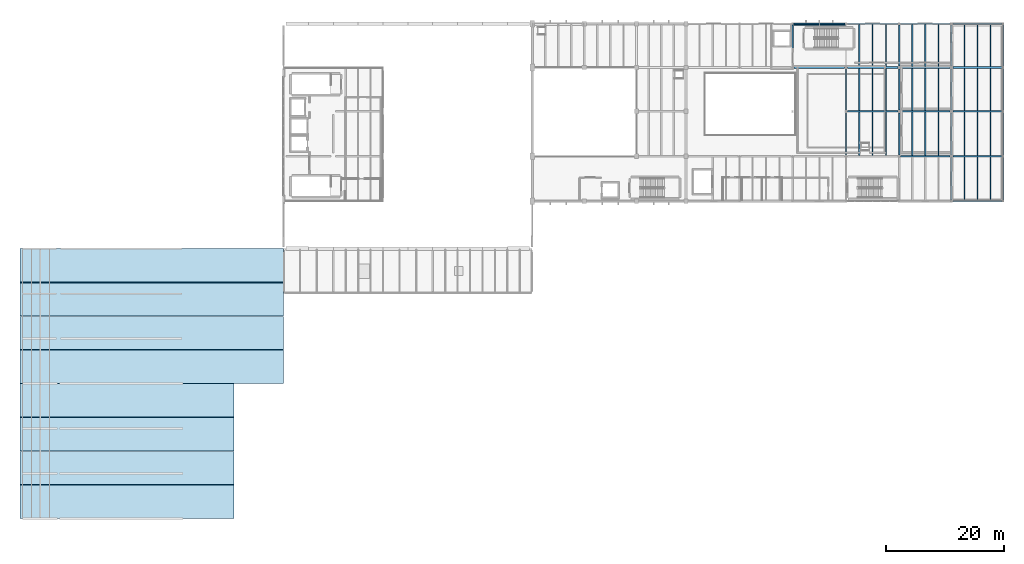
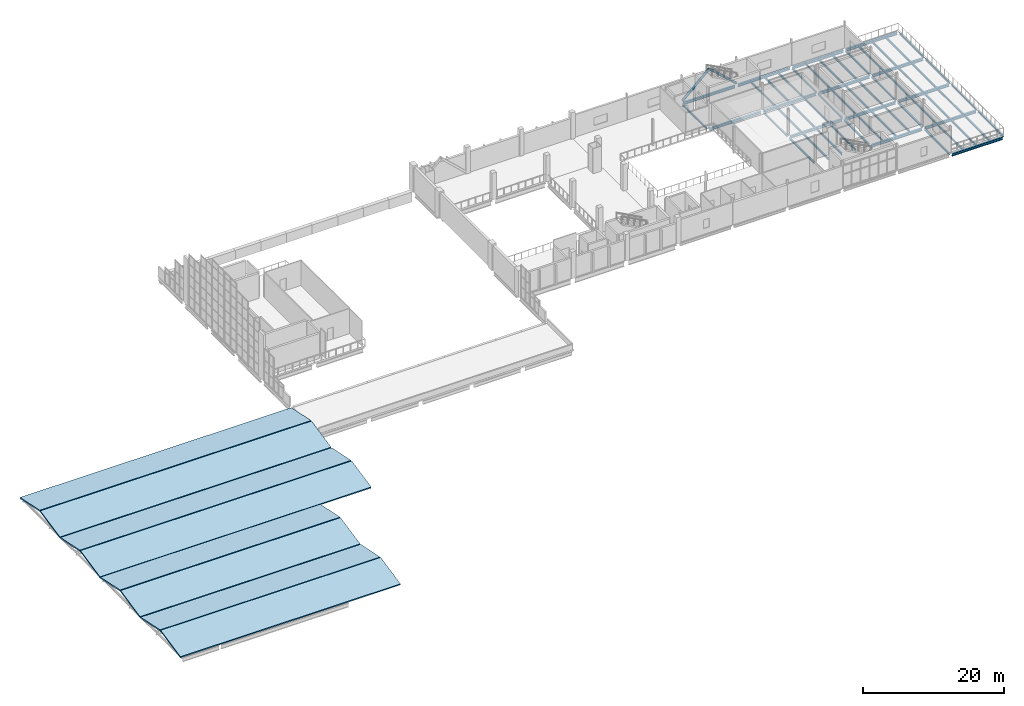
# One storey, part 22 of 37: 58 beams, 8 slabs, 2 members.
"""IFC4 building model written with IfcOpenShell, lengths in metres."""

import ifcopenshell
import ifcopenshell.guid

model = None  # the IFC model being written
_history = None  # IfcOwnerHistory: only IFC2X3 demands one
_inside = {}  # id of a spatial element -> (the spatial element, [elements in it])
_under = {}  # id of a project, library or spatial element -> (it, [spatial elements below it])
_declared = {}  # id of a project -> (the project, [libraries it declares])
_typed = {}  # id of a type object -> (the type object, [elements of that type])
_made_of = {}  # id of a material, layer set ... -> (it, [elements and type objects made of it])


def new_model(schema):
    """Start an empty IFC model of exactly this schema.

    Asked for "IFC4X3", IfcOpenShell would pick the latest addendum, in which some entities
    have other attributes; the version numbers below select the first issue.
    IFC2X3 requires an IfcOwnerHistory on every rooted entity: one is made here for all.
    """
    global model, _history
    if schema == "IFC4X3":
        model = ifcopenshell.file(schema_version=(4, 3, 0, 0))
    else:
        model = ifcopenshell.file(schema=schema)
    _inside.clear()
    _under.clear()
    _declared.clear()
    _typed.clear()
    _made_of.clear()
    _history = None
    if model.schema == "IFC2X3":
        org = make("IfcOrganization", Name="unknown")
        user = make(
            "IfcPersonAndOrganization",
            ThePerson=make("IfcPerson", FamilyName="unknown"),
            TheOrganization=org,
        )
        app = make(
            "IfcApplication",
            ApplicationDeveloper=org,
            Version="unknown",
            ApplicationFullName="unknown",
            ApplicationIdentifier="unknown",
        )
        _history = make(
            "IfcOwnerHistory",
            OwningUser=user,
            OwningApplication=app,
            ChangeAction="ADDED",
            CreationDate=0,
        )
    return model


def make(cls, **values):
    """One entity of the class cls with the attributes given. An attribute that is None is left unset."""
    return model.create_entity(
        cls, **{name: value for name, value in values.items() if value is not None}
    )


def rooted(cls, **values):
    """An entity with a GlobalId (a new one), such as an element, a storey or a relation."""
    return make(cls, GlobalId=ifcopenshell.guid.new(), OwnerHistory=_history, **values)


def si_unit(unit_type, name, prefix=None):
    """IfcSIUnit, for example si_unit("LENGTHUNIT", "METRE", prefix="MILLI")."""
    return make("IfcSIUnit", UnitType=unit_type, Prefix=prefix, Name=name)


def assignment(units):
    """IfcUnitAssignment: the units of a project."""
    return None if units is None else make("IfcUnitAssignment", Units=units)


def point(xyz):
    """IfcCartesianPoint."""
    return None if xyz is None else make("IfcCartesianPoint", Coordinates=xyz)


def direction(xyz):
    """IfcDirection."""
    return None if xyz is None else make("IfcDirection", DirectionRatios=xyz)


def frame(location, z_axis=None, x_axis=None):
    """IfcAxis2Placement3D, a coordinate frame: its origin and axes. An axis left out is left unset."""
    return make(
        "IfcAxis2Placement3D",
        Location=point(location),
        Axis=direction(z_axis),
        RefDirection=direction(x_axis),
    )


def frame_2d(location, x_axis=None):
    """IfcAxis2Placement2D, a coordinate frame in the plane: its origin and x axis."""
    return make(
        "IfcAxis2Placement2D", Location=point(location), RefDirection=direction(x_axis)
    )


def origin():
    """The frame at (0, 0, 0) with its axes left unset."""
    return frame((0.0, 0.0, 0.0))


def origin_2d():
    """The frame at (0, 0) in the plane with its x axis left unset."""
    return frame_2d((0.0, 0.0))


def place(relative_to, where):
    """IfcLocalPlacement: puts the frame where relative to a parent placement (None: the world)."""
    return make(
        "IfcLocalPlacement", PlacementRelTo=relative_to, RelativePlacement=where
    )


def context(
    kind, dimensions, precision=None, world=None, true_north=None, identifier=None
):
    """IfcGeometricRepresentationContext, for example the 3D "Model" context."""
    return make(
        "IfcGeometricRepresentationContext",
        ContextIdentifier=identifier,
        ContextType=kind,
        CoordinateSpaceDimension=dimensions,
        Precision=precision,
        WorldCoordinateSystem=world,
        TrueNorth=true_north,
    )


def subcontext(parent, identifier, kind, view, scale=None):
    """IfcGeometricRepresentationSubContext, for example "Body" below "Model"."""
    return make(
        "IfcGeometricRepresentationSubContext",
        ContextIdentifier=identifier,
        ContextType=kind,
        ParentContext=parent,
        TargetScale=scale,
        TargetView=view,
    )


def project(units=None, contexts=None):
    """IfcProject with its units and contexts."""
    return rooted(
        "IfcProject",
        Name="project",
        RepresentationContexts=contexts,
        UnitsInContext=assignment(units),
    )


def spatial(cls, under=None, at=None, **own):
    """A site, building, storey or space (cls), placed at a placement, below another one or the project."""
    s = rooted(cls, ObjectPlacement=at, **own)
    if under is not None:
        _under.setdefault(under.id(), (under, []))[1].append(s)
    return s


def polyline(points):
    """IfcPolyline through the points."""
    return make("IfcPolyline", Points=[point(p) for p in points])


def profile(cls, at=None, kind="AREA", **sizes):
    """A parametric profile (cls). Its sizes go by their IFC names, for example OverallWidth=200.0."""
    return make(cls, ProfileType=kind, Position=at, **sizes)


def hollow_circle(**sizes):
    """IfcCircleHollowProfileDef."""
    return profile("IfcCircleHollowProfileDef", **sizes)


def i_section(**sizes):
    """IfcIShapeProfileDef."""
    return profile("IfcIShapeProfileDef", **sizes)


def outline(outer, holes=None, kind="AREA"):
    """IfcArbitraryClosedProfileDef: a profile drawn as a closed curve; with holes, ...WithVoids."""
    if holes is None:
        return make("IfcArbitraryClosedProfileDef", ProfileType=kind, OuterCurve=outer)
    return make(
        "IfcArbitraryProfileDefWithVoids",
        ProfileType=kind,
        OuterCurve=outer,
        InnerCurves=holes,
    )


def extrude(swept, where, along, depth):
    """IfcExtrudedAreaSolid: the profile swept, set in the frame where, extruded along a direction by depth."""
    return make(
        "IfcExtrudedAreaSolid",
        SweptArea=swept,
        Position=where,
        ExtrudedDirection=direction(along),
        Depth=depth,
    )


def shape(context_of_items, identifier, shape_type, items):
    """IfcShapeRepresentation: the items that make up one representation, for example the "Body"."""
    return make(
        "IfcShapeRepresentation",
        ContextOfItems=context_of_items,
        RepresentationIdentifier=identifier,
        RepresentationType=shape_type,
        Items=items,
    )


def material(Name=None, Category=None):
    """IfcMaterial."""
    return make("IfcMaterial", Name=Name, Category=Category)


def layer(
    of_material, thickness, ventilated=None, Name=None, Category=None, Priority=None
):
    """IfcMaterialLayer: one layer of a wall or slab, of a material (None: an air gap)."""
    return make(
        "IfcMaterialLayer",
        Material=of_material,
        LayerThickness=thickness,
        IsVentilated=ventilated,
        Name=Name,
        Category=Category,
        Priority=Priority,
    )


def layer_set(layers, Name=None):
    """IfcMaterialLayerSet."""
    return make("IfcMaterialLayerSet", MaterialLayers=layers, LayerSetName=Name)


def material_profile(
    of_material, cross_section, Name=None, Category=None, Priority=None
):
    """IfcMaterialProfile: a cross section and its material."""
    return make(
        "IfcMaterialProfile",
        Name=Name,
        Material=of_material,
        Profile=cross_section,
        Priority=Priority,
        Category=Category,
    )


def profile_set(profiles, Name=None, composite=None):
    """IfcMaterialProfileSet."""
    return make(
        "IfcMaterialProfileSet",
        Name=Name,
        MaterialProfiles=profiles,
        CompositeProfile=composite,
    )


def made_of(thing, what):
    """Note that an element or type object is made of a material, layer set ...; save() writes the relation."""
    if what is not None:
        _made_of.setdefault(what.id(), (what, []))[1].append(thing)
    return thing


def type_object(cls, material=None, **own):
    """A type object (cls), such as IfcWallType, which elements share."""
    return made_of(rooted(cls, **own), material)


def element(
    cls,
    number,
    at=None,
    inside=None,
    cuts=None,
    type_object=None,
    material=None,
    context=None,
    identifier="Body",
    shape_type=None,
    held_by="IfcProductDefinitionShape",
    body=None,
    shapes=None,
    **own,
):
    """One element of the class cls, such as IfcWall. Its Tag is "e" and its number.

    at: its placement. inside: the storey or other place that contains it. cuts: it is an
    opening in that element (IfcRelVoidsElement). A single representation is given by context,
    identifier, shape_type and body (its items); several are given by shapes. held_by: the class
    of the entity that holds the representations. save() writes the other relations.
    """
    e = rooted(cls, Tag="e%d" % number, ObjectPlacement=at, **own)
    if body is not None:
        shapes = [shape(context, identifier, shape_type, body)]
    if shapes is not None:
        e.Representation = make(held_by, Representations=shapes)
    if inside is not None:
        _inside.setdefault(inside.id(), (inside, []))[1].append(e)
    if cuts is not None:
        rooted(
            "IfcRelVoidsElement", RelatingBuildingElement=cuts, RelatedOpeningElement=e
        )
    if type_object is not None:
        _typed.setdefault(type_object.id(), (type_object, []))[1].append(e)
    return made_of(e, material)


def aggregate(whole, parts):
    """IfcRelAggregates: a whole, such as a stair, and the parts it consists of."""
    return rooted("IfcRelAggregates", RelatingObject=whole, RelatedObjects=parts)


def save(model, path):
    """Write the relations noted so far, then the file.

    IfcRelAggregates (storeys below a building ...), IfcRelContainedInSpatialStructure (elements
    in a storey), IfcRelDefinesByType, IfcRelAssociatesMaterial and IfcRelDeclares: one each for
    every whole, place, type object, material and project.
    """
    for whole, parts in _under.values():
        aggregate(whole, parts)
    for where, things in _inside.values():
        rooted(
            "IfcRelContainedInSpatialStructure",
            RelatedElements=things,
            RelatingStructure=where,
        )
    for kind, things in _typed.values():
        rooted("IfcRelDefinesByType", RelatedObjects=things, RelatingType=kind)
    for what, things in _made_of.values():
        rooted("IfcRelAssociatesMaterial", RelatedObjects=things, RelatingMaterial=what)
    for by, libraries in _declared.values():
        rooted("IfcRelDeclares", RelatingContext=by, RelatedDefinitions=libraries)
    model.write(path)


model = new_model("IFC4")

# Units and contexts
model_context = context("Model", 3, precision=1e-05, world=origin(), true_north=direction((0.0, 1.0)))
body_context = subcontext(model_context, "Body", "Model", "MODEL_VIEW")
ifc_project = project(units=[si_unit("LENGTHUNIT", "METRE"), si_unit("AREAUNIT", "SQUARE_METRE"), si_unit("VOLUMEUNIT", "CUBIC_METRE"), si_unit("PLANEANGLEUNIT", "RADIAN"), si_unit("MASSUNIT", "GRAM", prefix="KILO")], contexts=[model_context])

# Site, building, storey
site_placement = place(None, origin())
site = spatial("IfcSite", under=ifc_project, at=site_placement, CompositionType="ELEMENT")
building_placement = place(site_placement, origin())
building = spatial("IfcBuilding", under=site, at=building_placement, Name="Shengluoqiao Park Theatre", CompositionType="ELEMENT")
storey_placement = place(building_placement, frame((0.0, 0.0, 19.199951171875)))
storey = spatial("IfcBuildingStorey", under=building, at=storey_placement, Name="L04", CompositionType="ELEMENT", Elevation=19.199951171875)

# Beams
ifc_material_1 = material(Name="Steel Q355", Category="steel")
ifc_material_profile_1 = material_profile(ifc_material_1, i_section(OverallWidth=0.199951171875, OverallDepth=0.2939453125, WebThickness=0.008056640625, FlangeThickness=0.011962890625, FilletRadius=0.01611328125, at=origin_2d()), Name="HM 294x200x8x12")
ifc_profile_set_1 = profile_set([ifc_material_profile_1], Name="Steel Q355")
beam_type_1 = type_object("IfcBeamType", Name="STR-BM-G-HM294", PredefinedType="BEAM", material=ifc_profile_set_1)
beam_1_placement = place(storey_placement, frame((130.39990234375, 106.843994140625, -0.386962890625), z_axis=(0.0, 1.0, 0.0), x_axis=(-1.0, 0.0, 0.0)))
element("IfcBeam", 1, at=beam_1_placement, inside=storey, type_object=beam_type_1, Name="L04 Transverse Girder 01564", PredefinedType="BEAM", context=body_context, shape_type="SweptSolid", body=[
    extrude(i_section(OverallWidth=0.199951171875, OverallDepth=0.2939453125, WebThickness=0.008056640625, FlangeThickness=0.011962890625, FilletRadius=0.01611328125, at=origin_2d()), origin(), (0.0, 0.0, 1.0), 6.912109375),
])
beam_2_placement = place(storey_placement, frame((139.39990234375, 91.843994140625, -0.386962890625), z_axis=(0.0, 1.0, 0.0), x_axis=(-1.0, 0.0, 0.0)))
element("IfcBeam", 2, at=beam_2_placement, inside=storey, type_object=beam_type_1, Name="L04 Transverse Girder 01566", PredefinedType="BEAM", context=body_context, shape_type="SweptSolid", body=[
    extrude(i_section(OverallWidth=0.199951171875, OverallDepth=0.2939453125, WebThickness=0.008056640625, FlangeThickness=0.011962890625, FilletRadius=0.01611328125, at=origin_2d()), origin(), (0.0, 0.0, 1.0), 7.112060546875),
])
beam_3_placement = place(storey_placement, frame((139.39990234375, 99.444091796875, -0.386962890625), z_axis=(0.0, 1.0, 0.0), x_axis=(-1.0, 0.0, 0.0)))
element("IfcBeam", 3, at=beam_3_placement, inside=storey, type_object=beam_type_1, Name="L04 Transverse Girder 01567", PredefinedType="BEAM", context=body_context, shape_type="SweptSolid", body=[
    extrude(i_section(OverallWidth=0.199951171875, OverallDepth=0.2939453125, WebThickness=0.008056640625, FlangeThickness=0.011962890625, FilletRadius=0.01611328125, at=origin_2d()), origin(), (0.0, 0.0, 1.0), 6.911865234375),
])
beam_4_placement = place(storey_placement, frame((148.39990234375, 91.843994140625, -0.386962890625), z_axis=(0.0, 1.0, 0.0), x_axis=(-1.0, 0.0, 0.0)))
element("IfcBeam", 4, at=beam_4_placement, inside=storey, type_object=beam_type_1, Name="L04 Transverse Girder 01592", PredefinedType="BEAM", context=body_context, shape_type="SweptSolid", body=[
    extrude(i_section(OverallWidth=0.199951171875, OverallDepth=0.2939453125, WebThickness=0.008056640625, FlangeThickness=0.011962890625, FilletRadius=0.01611328125, at=origin_2d()), origin(), (0.0, 0.0, 1.0), 7.112060546875),
])
beam_5_placement = place(storey_placement, frame((148.39990234375, 99.444091796875, -0.386962890625), z_axis=(0.0, 1.0, 0.0), x_axis=(-1.0, 0.0, 0.0)))
element("IfcBeam", 5, at=beam_5_placement, inside=storey, type_object=beam_type_1, Name="L04 Transverse Girder 01593", PredefinedType="BEAM", context=body_context, shape_type="SweptSolid", body=[
    extrude(i_section(OverallWidth=0.199951171875, OverallDepth=0.2939453125, WebThickness=0.008056640625, FlangeThickness=0.011962890625, FilletRadius=0.01611328125, at=origin_2d()), origin(), (0.0, 0.0, 1.0), 6.911865234375),
])
beam_6_placement = place(storey_placement, frame((148.39990234375, 106.843994140625, -0.386962890625), z_axis=(0.0, 1.0, 0.0), x_axis=(-1.0, 0.0, 0.0)))
element("IfcBeam", 6, at=beam_6_placement, inside=storey, type_object=beam_type_1, Name="L04 Transverse Girder 01594", PredefinedType="BEAM", context=body_context, shape_type="SweptSolid", body=[
    extrude(i_section(OverallWidth=0.199951171875, OverallDepth=0.2939453125, WebThickness=0.008056640625, FlangeThickness=0.011962890625, FilletRadius=0.01611328125, at=origin_2d()), origin(), (0.0, 0.0, 1.0), 6.912109375),
])
for number, where, z_axis, x_axis, name in (
    (7, (157.199951171875, 84.243896484375, -0.467041015625), (0.0, 1.0, 0.0), (-1.0, 0.0, 0.0), "L04 Transverse Girder 01595"),
    (8, (157.199951171875, 91.843994140625, -0.467041015625), (0.0, 1.0, 0.0), (-1.0, 0.0, 0.0), "L04 Transverse Girder 01596"),
):
    element("IfcBeam", number, at=place(storey_placement, frame(where, z_axis=z_axis, x_axis=x_axis)), inside=storey, type_object=beam_type_1, Name=name, PredefinedType="BEAM", context=body_context, shape_type="SweptSolid", body=[
        extrude(i_section(OverallWidth=0.199951171875, OverallDepth=0.2939453125, WebThickness=0.008056640625, FlangeThickness=0.011962890625, FilletRadius=0.01611328125, at=origin_2d()), origin(), (0.0, 0.0, 1.0), 7.112060546875),
    ])
beam_7_placement = place(storey_placement, frame((157.199951171875, 99.444091796875, -0.467041015625), z_axis=(0.0, 1.0, 0.0), x_axis=(-1.0, 0.0, 0.0)))
element("IfcBeam", 9, at=beam_7_placement, inside=storey, type_object=beam_type_1, Name="L04 Transverse Girder 01597", PredefinedType="BEAM", context=body_context, shape_type="SweptSolid", body=[
    extrude(i_section(OverallWidth=0.199951171875, OverallDepth=0.2939453125, WebThickness=0.008056640625, FlangeThickness=0.011962890625, FilletRadius=0.01611328125, at=origin_2d()), origin(), (0.0, 0.0, 1.0), 6.911865234375),
])
beam_8_placement = place(storey_placement, frame((157.199951171875, 106.843994140625, -0.467041015625), z_axis=(0.0, 1.0, 0.0), x_axis=(-1.0, 0.0, 0.0)))
element("IfcBeam", 10, at=beam_8_placement, inside=storey, type_object=beam_type_1, Name="L04 Transverse Girder 01598", PredefinedType="BEAM", context=body_context, shape_type="SweptSolid", body=[
    extrude(i_section(OverallWidth=0.199951171875, OverallDepth=0.2939453125, WebThickness=0.008056640625, FlangeThickness=0.011962890625, FilletRadius=0.01611328125, at=origin_2d()), origin(), (0.0, 0.0, 1.0), 6.912109375),
])
for number, where, z_axis, x_axis, name in (
    (11, (166.0, 84.243896484375, -0.467041015625), (0.0, 1.0, 0.0), (-1.0, 0.0, 0.0), "L04 Transverse Girder 02005"),
    (12, (166.0, 91.843994140625, -0.467041015625), (0.0, 1.0, 0.0), (-1.0, 0.0, 0.0), "L04 Transverse Girder 02006"),
):
    element("IfcBeam", number, at=place(storey_placement, frame(where, z_axis=z_axis, x_axis=x_axis)), inside=storey, type_object=beam_type_1, Name=name, PredefinedType="BEAM", context=body_context, shape_type="SweptSolid", body=[
        extrude(i_section(OverallWidth=0.199951171875, OverallDepth=0.2939453125, WebThickness=0.008056640625, FlangeThickness=0.011962890625, FilletRadius=0.01611328125, at=origin_2d()), origin(), (0.0, 0.0, 1.0), 7.112060546875),
    ])
beam_9_placement = place(storey_placement, frame((166.0, 99.444091796875, -0.467041015625), z_axis=(0.0, 1.0, 0.0), x_axis=(-1.0, 0.0, 0.0)))
element("IfcBeam", 13, at=beam_9_placement, inside=storey, type_object=beam_type_1, Name="L04 Transverse Girder 02007", PredefinedType="BEAM", context=body_context, shape_type="SweptSolid", body=[
    extrude(i_section(OverallWidth=0.199951171875, OverallDepth=0.2939453125, WebThickness=0.008056640625, FlangeThickness=0.011962890625, FilletRadius=0.01611328125, at=origin_2d()), origin(), (0.0, 0.0, 1.0), 6.911865234375),
])
beam_10_placement = place(storey_placement, frame((166.0, 106.843994140625, -0.467041015625), z_axis=(0.0, 1.0, 0.0), x_axis=(-1.0, 0.0, 0.0)))
element("IfcBeam", 14, at=beam_10_placement, inside=storey, type_object=beam_type_1, Name="L04 Transverse Girder 02008", PredefinedType="BEAM", context=body_context, shape_type="SweptSolid", body=[
    extrude(i_section(OverallWidth=0.199951171875, OverallDepth=0.2939453125, WebThickness=0.008056640625, FlangeThickness=0.011962890625, FilletRadius=0.01611328125, at=origin_2d()), origin(), (0.0, 0.0, 1.0), 6.912109375),
])
ifc_material_profile_2 = material_profile(ifc_material_1, i_section(OverallWidth=0.300048828125, OverallDepth=0.43994140625, WebThickness=0.010986328125, FlangeThickness=0.01806640625, FilletRadius=0.02001953125, at=origin_2d()), Name="HM 440x300x11x18")
ifc_profile_set_2 = profile_set([ifc_material_profile_2], Name="Steel Q355")
beam_type_2 = type_object("IfcBeamType", Name="STR-BM-G-HM440", PredefinedType="BEAM", material=ifc_profile_set_2)
for number, where, z_axis, x_axis, name in (
    (15, (130.64404296875, 106.60009765625, -0.4599609375), (1.0, 0.0, 0.0), (0.0, 1.0, 0.0), "L04 Primary Girder 01557"),
    (16, (130.64404296875, 114.0, -0.4599609375), (1.0, 0.0, 0.0), (0.0, 1.0, 0.0), "L04 Primary Girder 01560"),
):
    element("IfcBeam", number, at=place(storey_placement, frame(where, z_axis=z_axis, x_axis=x_axis)), inside=storey, type_object=beam_type_2, Name=name, PredefinedType="BEAM", context=body_context, shape_type="SweptSolid", body=[
        extrude(i_section(OverallWidth=0.300048828125, OverallDepth=0.43994140625, WebThickness=0.010986328125, FlangeThickness=0.01806640625, FilletRadius=0.02001953125, at=origin_2d()), origin(), (0.0, 0.0, 1.0), 8.511962890625),
    ])
beam_11_placement = place(storey_placement, frame((148.64404296875, 91.60009765625, -0.5400390625), z_axis=(1.0, 0.0, 0.0), x_axis=(0.0, 1.0, 0.0)))
element("IfcBeam", 17, at=beam_11_placement, inside=storey, type_object=beam_type_2, Name="L04 Primary Girder 01584", PredefinedType="BEAM", context=body_context, shape_type="SweptSolid", body=[
    extrude(i_section(OverallWidth=0.300048828125, OverallDepth=0.43994140625, WebThickness=0.010986328125, FlangeThickness=0.01806640625, FilletRadius=0.02001953125, at=origin_2d()), origin(), (0.0, 0.0, 1.0), 8.31201171875),
])
beam_12_placement = place(storey_placement, frame((139.64404296875, 99.199951171875, -0.4599609375), z_axis=(1.0, 0.0, 0.0), x_axis=(0.0, 1.0, 0.0)))
element("IfcBeam", 18, at=beam_12_placement, inside=storey, type_object=beam_type_2, Name="L04 Primary Girder 01585", PredefinedType="BEAM", context=body_context, shape_type="SweptSolid", body=[
    extrude(i_section(OverallWidth=0.300048828125, OverallDepth=0.43994140625, WebThickness=0.010986328125, FlangeThickness=0.01806640625, FilletRadius=0.02001953125, at=origin_2d()), origin(), (0.0, 0.0, 1.0), 8.511962890625),
])
beam_13_placement = place(storey_placement, frame((148.64404296875, 99.199951171875, -0.5400390625), z_axis=(1.0, 0.0, 0.0), x_axis=(0.0, 1.0, 0.0)))
element("IfcBeam", 19, at=beam_13_placement, inside=storey, type_object=beam_type_2, Name="L04 Primary Girder 01586", PredefinedType="BEAM", context=body_context, shape_type="SweptSolid", body=[
    extrude(i_section(OverallWidth=0.300048828125, OverallDepth=0.43994140625, WebThickness=0.010986328125, FlangeThickness=0.01806640625, FilletRadius=0.02001953125, at=origin_2d()), origin(), (0.0, 0.0, 1.0), 8.31201171875),
])
beam_14_placement = place(storey_placement, frame((139.64404296875, 106.60009765625, -0.4599609375), z_axis=(1.0, 0.0, 0.0), x_axis=(0.0, 1.0, 0.0)))
element("IfcBeam", 20, at=beam_14_placement, inside=storey, type_object=beam_type_2, Name="L04 Primary Girder 01587", PredefinedType="BEAM", context=body_context, shape_type="SweptSolid", body=[
    extrude(i_section(OverallWidth=0.300048828125, OverallDepth=0.43994140625, WebThickness=0.010986328125, FlangeThickness=0.01806640625, FilletRadius=0.02001953125, at=origin_2d()), origin(), (0.0, 0.0, 1.0), 8.511962890625),
])
beam_15_placement = place(storey_placement, frame((148.64404296875, 106.60009765625, -0.5400390625), z_axis=(1.0, 0.0, 0.0), x_axis=(0.0, 1.0, 0.0)))
element("IfcBeam", 21, at=beam_15_placement, inside=storey, type_object=beam_type_2, Name="L04 Primary Girder 01588", PredefinedType="BEAM", context=body_context, shape_type="SweptSolid", body=[
    extrude(i_section(OverallWidth=0.300048828125, OverallDepth=0.43994140625, WebThickness=0.010986328125, FlangeThickness=0.01806640625, FilletRadius=0.02001953125, at=origin_2d()), origin(), (0.0, 0.0, 1.0), 8.31201171875),
])
beam_16_placement = place(storey_placement, frame((139.64404296875, 114.0, -0.4599609375), z_axis=(1.0, 0.0, 0.0), x_axis=(0.0, 1.0, 0.0)))
element("IfcBeam", 22, at=beam_16_placement, inside=storey, type_object=beam_type_2, Name="L04 Primary Girder 01589", PredefinedType="BEAM", context=body_context, shape_type="SweptSolid", body=[
    extrude(i_section(OverallWidth=0.300048828125, OverallDepth=0.43994140625, WebThickness=0.010986328125, FlangeThickness=0.01806640625, FilletRadius=0.02001953125, at=origin_2d()), origin(), (0.0, 0.0, 1.0), 8.511962890625),
])
for number, where, z_axis, x_axis, name in (
    (23, (148.64404296875, 114.0, -0.5400390625), (1.0, 0.0, 0.0), (0.0, 1.0, 0.0), "L04 Primary Girder 01590"),
    (24, (157.444091796875, 84.0, -0.5400390625), (1.0, 0.0, 0.0), (0.0, 1.0, 0.0), "L04 Primary Girder 02000"),
    (25, (157.444091796875, 91.60009765625, -0.5400390625), (1.0, 0.0, 0.0), (0.0, 1.0, 0.0), "L04 Primary Girder 02001"),
    (26, (157.444091796875, 99.199951171875, -0.5400390625), (1.0, 0.0, 0.0), (0.0, 1.0, 0.0), "L04 Primary Girder 02002"),
    (27, (157.444091796875, 106.60009765625, -0.5400390625), (1.0, 0.0, 0.0), (0.0, 1.0, 0.0), "L04 Primary Girder 02003"),
    (28, (157.444091796875, 114.0, -0.5400390625), (1.0, 0.0, 0.0), (0.0, 1.0, 0.0), "L04 Primary Girder 02004"),
):
    element("IfcBeam", number, at=place(storey_placement, frame(where, z_axis=z_axis, x_axis=x_axis)), inside=storey, type_object=beam_type_2, Name=name, PredefinedType="BEAM", context=body_context, shape_type="SweptSolid", body=[
        extrude(i_section(OverallWidth=0.300048828125, OverallDepth=0.43994140625, WebThickness=0.010986328125, FlangeThickness=0.01806640625, FilletRadius=0.02001953125, at=origin_2d()), origin(), (0.0, 0.0, 1.0), 8.31201171875),
    ])
ifc_material_profile_3 = material_profile(ifc_material_1, i_section(OverallWidth=0.175048828125, OverallDepth=0.35009765625, WebThickness=0.007080078125, FlangeThickness=0.010986328125, FilletRadius=0.013916015625, at=origin_2d()), Name="HN 350x175x7x11")
ifc_profile_set_3 = profile_set([ifc_material_profile_3], Name="Steel Q355")
beam_type_3 = type_object("IfcBeamType", Name="STR-BM-J-HN350", PredefinedType="JOIST", material=ifc_profile_set_3)
for number, where, z_axis, x_axis, name in (
    (29, (141.64990234375, 91.7451171875, -0.4150390625), (0.0, 1.0, 0.0), (-1.0, 0.0, 0.0), "L04 Composite Joist 01599"),
    (30, (143.89990234375, 91.7451171875, -0.4150390625), (0.0, 1.0, 0.0), (-1.0, 0.0, 0.0), "L04 Composite Joist 01600"),
    (31, (146.14990234375, 91.7451171875, -0.4150390625), (0.0, 1.0, 0.0), (-1.0, 0.0, 0.0), "L04 Composite Joist 01601"),
):
    element("IfcBeam", number, at=place(storey_placement, frame(where, z_axis=z_axis, x_axis=x_axis)), inside=storey, type_object=beam_type_3, Name=name, PredefinedType="JOIST", context=body_context, shape_type="SweptSolid", body=[
        extrude(i_section(OverallWidth=0.175048828125, OverallDepth=0.35009765625, WebThickness=0.007080078125, FlangeThickness=0.010986328125, FilletRadius=0.013916015625, at=origin_2d()), origin(), (0.0, 0.0, 1.0), 7.309814453125),
    ])
for number, where, z_axis, x_axis, name in (
    (32, (141.64990234375, 99.344970703125, -0.4150390625), (0.0, 1.0, 0.0), (-1.0, 0.0, 0.0), "L04 Composite Joist 01602"),
    (33, (143.89990234375, 99.344970703125, -0.4150390625), (0.0, 1.0, 0.0), (-1.0, 0.0, 0.0), "L04 Composite Joist 01603"),
    (34, (146.14990234375, 99.344970703125, -0.4150390625), (0.0, 1.0, 0.0), (-1.0, 0.0, 0.0), "L04 Composite Joist 01604"),
):
    element("IfcBeam", number, at=place(storey_placement, frame(where, z_axis=z_axis, x_axis=x_axis)), inside=storey, type_object=beam_type_3, Name=name, PredefinedType="JOIST", context=body_context, shape_type="SweptSolid", body=[
        extrude(i_section(OverallWidth=0.175048828125, OverallDepth=0.35009765625, WebThickness=0.007080078125, FlangeThickness=0.010986328125, FilletRadius=0.013916015625, at=origin_2d()), origin(), (0.0, 0.0, 1.0), 7.110107421875),
    ])
for number, where, z_axis, x_axis, name in (
    (35, (141.64990234375, 106.7451171875, -0.4150390625), (0.0, 1.0, 0.0), (-1.0, 0.0, 0.0), "L04 Composite Joist 01605"),
    (36, (143.89990234375, 106.7451171875, -0.4150390625), (0.0, 1.0, 0.0), (-1.0, 0.0, 0.0), "L04 Composite Joist 01606"),
    (37, (146.14990234375, 106.7451171875, -0.4150390625), (0.0, 1.0, 0.0), (-1.0, 0.0, 0.0), "L04 Composite Joist 01607"),
):
    element("IfcBeam", number, at=place(storey_placement, frame(where, z_axis=z_axis, x_axis=x_axis)), inside=storey, type_object=beam_type_3, Name=name, PredefinedType="JOIST", context=body_context, shape_type="SweptSolid", body=[
        extrude(i_section(OverallWidth=0.175048828125, OverallDepth=0.35009765625, WebThickness=0.007080078125, FlangeThickness=0.010986328125, FilletRadius=0.013916015625, at=origin_2d()), origin(), (0.0, 0.0, 1.0), 7.10986328125),
    ])
for number, where, z_axis, x_axis, name in (
    (38, (150.60009765625, 91.7451171875, -0.4150390625), (0.0, 1.0, 0.0), (-1.0, 0.0, 0.0), "L04 Composite Joist 01611"),
    (39, (152.800048828125, 91.7451171875, -0.4150390625), (0.0, 1.0, 0.0), (-1.0, 0.0, 0.0), "L04 Composite Joist 01612"),
    (40, (155.0, 91.7451171875, -0.4150390625), (0.0, 1.0, 0.0), (-1.0, 0.0, 0.0), "L04 Composite Joist 01613"),
):
    element("IfcBeam", number, at=place(storey_placement, frame(where, z_axis=z_axis, x_axis=x_axis)), inside=storey, type_object=beam_type_3, Name=name, PredefinedType="JOIST", context=body_context, shape_type="SweptSolid", body=[
        extrude(i_section(OverallWidth=0.175048828125, OverallDepth=0.35009765625, WebThickness=0.007080078125, FlangeThickness=0.010986328125, FilletRadius=0.013916015625, at=origin_2d()), origin(), (0.0, 0.0, 1.0), 7.309814453125),
    ])
for number, where, z_axis, x_axis, name in (
    (41, (150.60009765625, 99.344970703125, -0.4150390625), (0.0, 1.0, 0.0), (-1.0, 0.0, 0.0), "L04 Composite Joist 01614"),
    (42, (152.800048828125, 99.344970703125, -0.4150390625), (0.0, 1.0, 0.0), (-1.0, 0.0, 0.0), "L04 Composite Joist 01615"),
    (43, (155.0, 99.344970703125, -0.4150390625), (0.0, 1.0, 0.0), (-1.0, 0.0, 0.0), "L04 Composite Joist 01616"),
):
    element("IfcBeam", number, at=place(storey_placement, frame(where, z_axis=z_axis, x_axis=x_axis)), inside=storey, type_object=beam_type_3, Name=name, PredefinedType="JOIST", context=body_context, shape_type="SweptSolid", body=[
        extrude(i_section(OverallWidth=0.175048828125, OverallDepth=0.35009765625, WebThickness=0.007080078125, FlangeThickness=0.010986328125, FilletRadius=0.013916015625, at=origin_2d()), origin(), (0.0, 0.0, 1.0), 7.110107421875),
    ])
for number, where, z_axis, x_axis, name in (
    (44, (150.60009765625, 106.7451171875, -0.4150390625), (0.0, 1.0, 0.0), (-1.0, 0.0, 0.0), "L04 Composite Joist 01617"),
    (45, (152.800048828125, 106.7451171875, -0.4150390625), (0.0, 1.0, 0.0), (-1.0, 0.0, 0.0), "L04 Composite Joist 01618"),
    (46, (155.0, 106.7451171875, -0.4150390625), (0.0, 1.0, 0.0), (-1.0, 0.0, 0.0), "L04 Composite Joist 01619"),
):
    element("IfcBeam", number, at=place(storey_placement, frame(where, z_axis=z_axis, x_axis=x_axis)), inside=storey, type_object=beam_type_3, Name=name, PredefinedType="JOIST", context=body_context, shape_type="SweptSolid", body=[
        extrude(i_section(OverallWidth=0.175048828125, OverallDepth=0.35009765625, WebThickness=0.007080078125, FlangeThickness=0.010986328125, FilletRadius=0.013916015625, at=origin_2d()), origin(), (0.0, 0.0, 1.0), 7.10986328125),
    ])
for number, where, z_axis, x_axis, name in (
    (47, (159.39990234375, 84.14501953125, -0.494873046875), (0.0, 1.0, 0.0), (-1.0, 0.0, 0.0), "L04 Composite Joist 02009"),
    (48, (161.60009765625, 84.14501953125, -0.494873046875), (0.0, 1.0, 0.0), (-1.0, 0.0, 0.0), "L04 Composite Joist 02010"),
    (49, (163.800048828125, 84.14501953125, -0.494873046875), (0.0, 1.0, 0.0), (-1.0, 0.0, 0.0), "L04 Composite Joist 02011"),
):
    element("IfcBeam", number, at=place(storey_placement, frame(where, z_axis=z_axis, x_axis=x_axis)), inside=storey, type_object=beam_type_3, Name=name, PredefinedType="JOIST", context=body_context, shape_type="SweptSolid", body=[
        extrude(i_section(OverallWidth=0.175048828125, OverallDepth=0.35009765625, WebThickness=0.007080078125, FlangeThickness=0.010986328125, FilletRadius=0.013916015625, at=origin_2d()), origin(), (0.0, 0.0, 1.0), 7.31005859375),
    ])
for number, where, z_axis, x_axis, name in (
    (50, (159.39990234375, 91.7451171875, -0.494873046875), (0.0, 1.0, 0.0), (-1.0, 0.0, 0.0), "L04 Composite Joist 02012"),
    (51, (161.60009765625, 91.7451171875, -0.494873046875), (0.0, 1.0, 0.0), (-1.0, 0.0, 0.0), "L04 Composite Joist 02013"),
    (52, (163.800048828125, 91.7451171875, -0.494873046875), (0.0, 1.0, 0.0), (-1.0, 0.0, 0.0), "L04 Composite Joist 02014"),
):
    element("IfcBeam", number, at=place(storey_placement, frame(where, z_axis=z_axis, x_axis=x_axis)), inside=storey, type_object=beam_type_3, Name=name, PredefinedType="JOIST", context=body_context, shape_type="SweptSolid", body=[
        extrude(i_section(OverallWidth=0.175048828125, OverallDepth=0.35009765625, WebThickness=0.007080078125, FlangeThickness=0.010986328125, FilletRadius=0.013916015625, at=origin_2d()), origin(), (0.0, 0.0, 1.0), 7.309814453125),
    ])
for number, where, z_axis, x_axis, name in (
    (53, (159.39990234375, 99.344970703125, -0.494873046875), (0.0, 1.0, 0.0), (-1.0, 0.0, 0.0), "L04 Composite Joist 02015"),
    (54, (161.60009765625, 99.344970703125, -0.494873046875), (0.0, 1.0, 0.0), (-1.0, 0.0, 0.0), "L04 Composite Joist 02016"),
    (55, (163.800048828125, 99.344970703125, -0.494873046875), (0.0, 1.0, 0.0), (-1.0, 0.0, 0.0), "L04 Composite Joist 02017"),
):
    element("IfcBeam", number, at=place(storey_placement, frame(where, z_axis=z_axis, x_axis=x_axis)), inside=storey, type_object=beam_type_3, Name=name, PredefinedType="JOIST", context=body_context, shape_type="SweptSolid", body=[
        extrude(i_section(OverallWidth=0.175048828125, OverallDepth=0.35009765625, WebThickness=0.007080078125, FlangeThickness=0.010986328125, FilletRadius=0.013916015625, at=origin_2d()), origin(), (0.0, 0.0, 1.0), 7.110107421875),
    ])
for number, where, z_axis, x_axis, name in (
    (56, (159.39990234375, 106.7451171875, -0.494873046875), (0.0, 1.0, 0.0), (-1.0, 0.0, 0.0), "L04 Composite Joist 02018"),
    (57, (161.60009765625, 106.7451171875, -0.494873046875), (0.0, 1.0, 0.0), (-1.0, 0.0, 0.0), "L04 Composite Joist 02019"),
    (58, (163.800048828125, 106.7451171875, -0.494873046875), (0.0, 1.0, 0.0), (-1.0, 0.0, 0.0), "L04 Composite Joist 02020"),
):
    element("IfcBeam", number, at=place(storey_placement, frame(where, z_axis=z_axis, x_axis=x_axis)), inside=storey, type_object=beam_type_3, Name=name, PredefinedType="JOIST", context=body_context, shape_type="SweptSolid", body=[
        extrude(i_section(OverallWidth=0.175048828125, OverallDepth=0.35009765625, WebThickness=0.007080078125, FlangeThickness=0.010986328125, FilletRadius=0.013916015625, at=origin_2d()), origin(), (0.0, 0.0, 1.0), 7.10986328125),
    ])

# Members
ifc_material_2 = material(Name="Steel Q390", Category="steel")
ifc_material_profile_4 = material_profile(ifc_material_2, hollow_circle(Radius=0.202880859375, WallThickness=0.01611328125, at=origin_2d()), Name="CHS 406x16")
ifc_profile_set_4 = profile_set([ifc_material_profile_4], Name="Steel Q390")
member_type = type_object("IfcMemberType", Name="STR-MEM-BRC-406", PredefinedType="BRACE", material=ifc_profile_set_4)
for number, where, z_axis, x_axis, name in (
    (59, (130.489990234375, 113.919921875, 0.10205078125), (0.737469190349, 0.0, 0.675380776515), (0.0, 1.0, 0.0), "L04 Chevron Brace 0021"),
    (60, (139.31005859375, 113.919921875, 0.10205078125), (-0.737469190349, 0.0, 0.675380776515), (0.0, -1.0, 0.0), "L04 Chevron Brace 0022"),
):
    element("IfcMember", number, at=place(storey_placement, frame(where, z_axis=z_axis, x_axis=x_axis)), inside=storey, type_object=member_type, Name=name, PredefinedType="BRACE", context=body_context, shape_type="SweptSolid", body=[
        extrude(hollow_circle(Radius=0.202880859375, WallThickness=0.01611328125, at=origin_2d()), origin(), (0.0, 0.0, 1.0), 5.94921875),
    ])

# Slabs
ifc_material_3 = material(Name="Precast concrete C45", Category="concrete")
ifc_layer = layer(ifc_material_3, 0.22998046875, Name="Precast concrete C45")
ifc_layer_set = layer_set([ifc_layer], Name="Precast concrete C45")
slab_type = type_object("IfcSlabType", Name="STR-SLB-CR230", PredefinedType="ROOF", material=ifc_layer_set)
slab_1_placement = place(storey_placement, frame((-0.1201171875, 30.39990234375, 0.0), z_axis=(0.0, -0.204526125718, 0.978861105519), x_axis=(1.0, 0.0, 0.0)))
element("IfcSlab", 61, at=slab_1_placement, inside=storey, type_object=slab_type, Name="V3 Folded Crystal Roof Facet 1", PredefinedType="ROOF", context=body_context, shape_type="SweptSolid", body=[
    extrude(outline(polyline([(0.0, 0.0), (36.1201171875, 0.0), (36.1201171875, 5.761937712048685), (0.0, 5.761937712048685), (0.0, 0.0)])), origin(), (0.0, 0.0, -1.0), 0.22998046875),
])
slab_2_placement = place(storey_placement, frame((-0.1201171875, 36.159912109375, 1.165771484375), z_axis=(0.0, 0.204501502618, 0.978866250019), x_axis=(1.0, 0.0, 0.0)))
element("IfcSlab", 62, at=slab_2_placement, inside=storey, type_object=slab_type, Name="V3 Folded Crystal Roof Facet 2", PredefinedType="ROOF", context=body_context, shape_type="SweptSolid", body=[
    extrude(outline(polyline([(0.0, 0.0), (36.1201171875, 0.0), (36.1201171875, 5.700552169297762), (0.0, 5.700552169297762), (0.0, 0.0)])), origin(), (0.0, 0.0, -1.0), 0.22998046875),
])
slab_3_placement = place(storey_placement, frame((-0.1201171875, 41.860107421875, 0.0), z_axis=(0.0, -0.20451007617, 0.978864458822), x_axis=(1.0, 0.0, 0.0)))
element("IfcSlab", 63, at=slab_3_placement, inside=storey, type_object=slab_type, Name="V3 Folded Crystal Roof Facet 3", PredefinedType="ROOF", context=body_context, shape_type="SweptSolid", body=[
    extrude(outline(polyline([(0.0, 0.0), (36.1201171875, 0.0), (36.1201171875, 5.7003131884983365), (0.0, 5.7003131884983365), (0.0, 0.0)])), origin(), (0.0, 0.0, -1.0), 0.22998046875),
])
slab_4_placement = place(storey_placement, frame((-0.1201171875, 47.56005859375, 1.178466796875), z_axis=(0.0, 0.204534608904, 0.978859332979), x_axis=(1.0, 0.0, 0.0)))
element("IfcSlab", 64, at=slab_4_placement, inside=storey, type_object=slab_type, Name="V3 Folded Crystal Roof Facet 4", PredefinedType="ROOF", context=body_context, shape_type="SweptSolid", body=[
    extrude(outline(polyline([(0.0, 0.0), (36.1201171875, 0.0), (36.1201171875, 5.761698732502966), (0.0, 5.761698732502966), (0.0, 0.0)])), origin(), (0.0, 0.0, -1.0), 0.22998046875),
])
for number, where, z_axis, x_axis, name in (
    (65, (-0.1201171875, 53.260009765625, 0.0), (0.0, -0.204501502618, 0.978866250019), (1.0, 0.0, 0.0), "V5 Folded Crystal Roof Facet 1"),
    (66, (-0.1201171875, 58.9599609375, 1.165771484375), (0.0, 0.204501502618, 0.978866250019), (1.0, 0.0, 0.0), "V5 Folded Crystal Roof Facet 2"),
    (67, (-0.1201171875, 64.659912109375, 0.0), (0.0, -0.204501502618, 0.978866250019), (1.0, 0.0, 0.0), "V5 Folded Crystal Roof Facet 3"),
):
    element("IfcSlab", number, at=place(storey_placement, frame(where, z_axis=z_axis, x_axis=x_axis)), inside=storey, type_object=slab_type, Name=name, PredefinedType="ROOF", context=body_context, shape_type="SweptSolid", body=[
        extrude(outline(polyline([(0.0, 0.0), (44.52001953125, 0.0), (44.52001953125, 5.700552169297761), (0.0, 5.700552169297761), (0.0, 0.0)])), origin(), (0.0, 0.0, -1.0), 0.22998046875),
    ])
slab_5_placement = place(storey_placement, frame((-0.1201171875, 70.360107421875, 1.178466796875), z_axis=(0.0, 0.204534608904, 0.978859332979), x_axis=(1.0, 0.0, 0.0)))
element("IfcSlab", 68, at=slab_5_placement, inside=storey, type_object=slab_type, Name="V5 Folded Crystal Roof Facet 4", PredefinedType="ROOF", context=body_context, shape_type="SweptSolid", body=[
    extrude(outline(polyline([(0.0, 0.0), (44.52001953125, 0.0), (44.52001953125, 5.761698732502965), (0.0, 5.761698732502965), (0.0, 0.0)])), origin(), (0.0, 0.0, -1.0), 0.22998046875),
])

save(model, "model.ifc")
